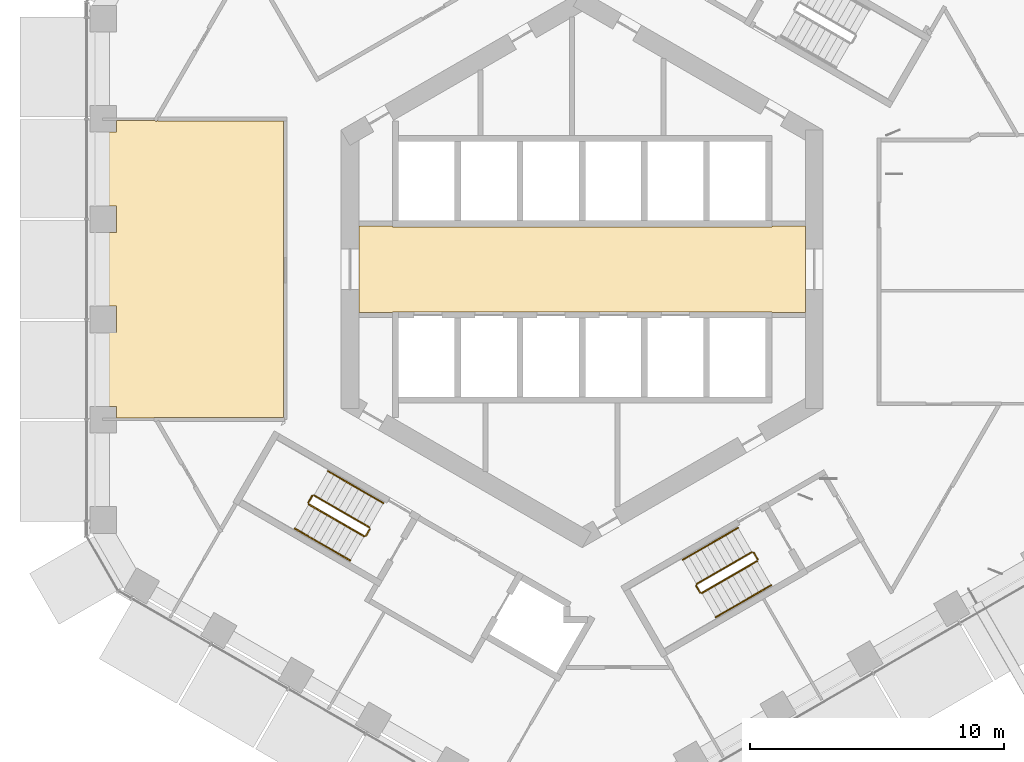
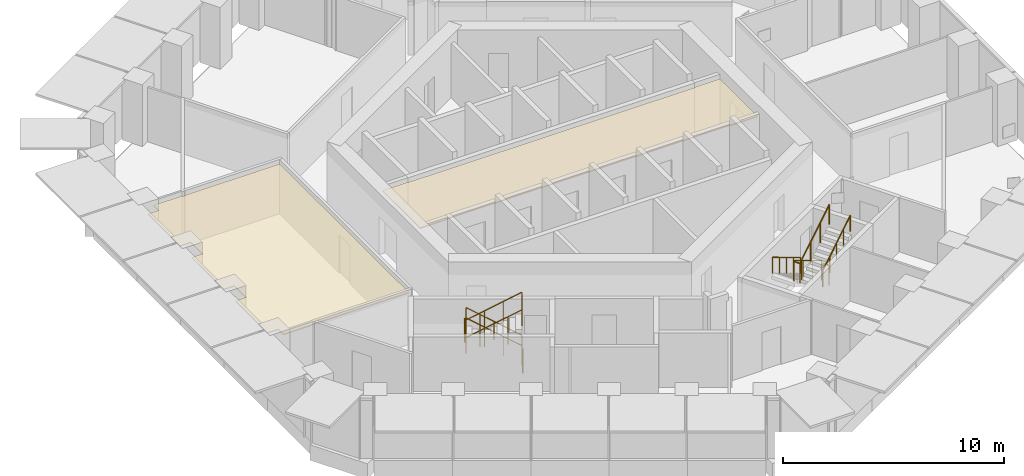
# One storey, part 20 of 21: 16 railings, 2 coverings.
"""IFC4 building model written with IfcOpenShell, lengths in metres."""

from ifc_helpers import new_model, si_unit, direction, frame, origin, origin_2d, place, context, subcontext, project, spatial, polyline, circle, outline, extrude, material, layer, layer_set, type_object, element, save


model = new_model("IFC4")

# Units and contexts
model_context = context("Model", 3, precision=1e-05, world=origin(), true_north=direction((0.0, 1.0)))
body_context = subcontext(model_context, "Body", "Model", "MODEL_VIEW")
ifc_project = project(units=[si_unit("LENGTHUNIT", "METRE"), si_unit("AREAUNIT", "SQUARE_METRE"), si_unit("VOLUMEUNIT", "CUBIC_METRE"), si_unit("PLANEANGLEUNIT", "RADIAN"), si_unit("MASSUNIT", "GRAM", prefix="KILO")], contexts=[model_context])

# Site, building, storey
site_placement = place(None, origin())
site = spatial("IfcSite", under=ifc_project, at=site_placement, CompositionType="ELEMENT")
building_placement = place(site_placement, origin())
building = spatial("IfcBuilding", under=site, at=building_placement, Name="Ayvan Gate Tower", CompositionType="ELEMENT")
storey_placement = place(building_placement, frame((0.0, 0.0, 117.10009765625)))
storey = spatial("IfcBuildingStorey", under=building, at=storey_placement, Name="L31", CompositionType="ELEMENT", Elevation=117.10009765625)

# Coverings
ifc_material_1 = material(Name="Plasterboard suspended ceiling")
ifc_layer = layer(ifc_material_1, 0.050048828125)
ifc_layer_set = layer_set([ifc_layer], Name="Plasterboard suspended ceiling")
covering_type = type_object("IfcCoveringType", Name="CT-SUSP-50", PredefinedType="CEILING", material=ifc_layer_set)
covering_1_placement = place(storey_placement, frame((0.0, 0.0, 2.699951171875)))
element("IfcCovering", 1, at=covering_1_placement, inside=storey, type_object=covering_type, Name="Ceiling Lift Lobby L31", PredefinedType="CEILING", context=body_context, shape_type="SweptSolid", body=[
    extrude(outline(polyline([(7.47509765625, -1.675048828125), (-7.47509765625, -1.675048828125), (-7.47509765625, -1.699951171875), (-8.800048828125, -1.699951171875), (-8.800048828125, 1.699951171875), (-7.47509765625, 1.699951171875), (-7.47509765625, 1.675048828125), (7.47509765625, 1.675048828125), (7.47509765625, 1.699951171875), (8.800048828125, 1.699951171875), (8.800048828125, -1.699951171875), (7.47509765625, -1.699951171875), (7.47509765625, -1.675048828125)])), origin(), (0.0, 0.0, 1.0), 0.050048828125),
])
covering_2_placement = place(storey_placement, frame((0.0, 0.0, 2.699951171875)))
element("IfcCovering", 2, at=covering_2_placement, inside=storey, type_object=covering_type, Name="Ceiling Study Lounge L31", PredefinedType="CEILING", context=body_context, shape_type="SweptSolid", body=[
    extrude(outline(polyline([(-18.33740234375, 1.450439453125), (-18.33740234375, 2.50048828125), (-18.89208984375, 2.50048828125), (-18.89208984375, 5.401611328125), (-18.33740234375, 5.401611328125), (-18.33740234375, 5.866455078125), (-16.84716796875, 5.866455078125), (-16.756103515625, 5.81396484375), (-16.708740234375, 5.896240234375), (-16.708740234375, 5.84130859375), (-11.77490234375, 5.84130859375), (-11.77490234375, -5.84130859375), (-16.858642578125, -5.84130859375), (-16.858642578125, -5.866455078125), (-18.33740234375, -5.866455078125), (-18.33740234375, -5.401611328125), (-18.89208984375, -5.401611328125), (-18.89208984375, -2.50048828125), (-18.33740234375, -2.50048828125), (-18.33740234375, -1.450439453125), (-18.89208984375, -1.450439453125), (-18.89208984375, 1.450439453125), (-18.33740234375, 1.450439453125)])), origin(), (0.0, 0.0, 1.0), 0.050048828125),
])

# Railings
ifc_material_2 = material(Name="Stainless steel balustrade", Category="steel")
railing_type_1 = type_object("IfcRailingType", Name="RL-GUARD-1100", PredefinedType="GUARDRAIL", material=ifc_material_2)
railing_1_placement = place(storey_placement, frame((-8.381103515625, -10.16650390625, 0.169921875)))
element("IfcRailing", 3, at=railing_1_placement, inside=storey, type_object=railing_type_1, Name="L31 STS2 stair guard 1", PredefinedType="GUARDRAIL", context=body_context, shape_type="SweptSolid", body=[
    extrude(circle(Radius=0.02392578125, at=origin_2d()), frame((0.0, 0.0, 1.076171875), z_axis=(-0.740261155115, 0.427395438142, 0.518986090067), x_axis=(-0.500004791531, -0.866022637375, 0.0)), (0.0, 0.0, 1.0), 2.947998046875),
    extrude(circle(Radius=0.02099609375, at=origin_2d()), origin(), (0.0, 0.0, 1.0), 1.052001953125),
    extrude(circle(Radius=0.02099609375, at=origin_2d()), frame((-0.7275390625, 0.419921875, 0.510009765625)), (0.0, 0.0, 1.0), 1.052001953125),
    extrude(circle(Radius=0.02099609375, at=origin_2d()), frame((-1.454833984375, 0.840087890625, 1.02001953125)), (0.0, 0.0, 1.0), 1.052001953125),
    extrude(circle(Radius=0.02099609375, at=origin_2d()), frame((-2.182373046875, 1.260009765625, 1.530029296875)), (0.0, 0.0, 1.0), 1.052001953125),
])
railing_2_placement = place(storey_placement, frame((-10.6318359375, -8.9248046875, 1.699951171875)))
element("IfcRailing", 4, at=railing_2_placement, inside=storey, type_object=railing_type_1, Name="L31 STS2 stair guard 2", PredefinedType="GUARDRAIL", context=body_context, shape_type="SweptSolid", body=[
    extrude(circle(Radius=0.02392578125, at=origin_2d()), frame((0.0, 0.0, 1.076171875), z_axis=(-0.499949632511, -0.866054481515, 0.0), x_axis=(0.866054481515, -0.499949632511, 0.0)), (0.0, 0.0, 1.0), 0.31005859375),
    extrude(circle(Radius=0.02099609375, at=origin_2d()), origin(), (0.0, 0.0, 1.0), 1.052001953125),
    extrude(circle(Radius=0.02099609375, at=origin_2d()), frame((-0.155029296875, -0.2685546875, 0.0)), (0.0, 0.0, 1.0), 1.052001953125),
])
railing_3_placement = place(storey_placement, frame((-10.7685546875, -9.261474609375, 1.869873046875)))
element("IfcRailing", 5, at=railing_3_placement, inside=storey, type_object=railing_type_1, Name="L31 STS2 stair guard 3", PredefinedType="GUARDRAIL", context=body_context, shape_type="SweptSolid", body=[
    extrude(circle(Radius=0.02392578125, at=origin_2d()), frame((0.0, 0.0, 1.076171875), z_axis=(0.740261155115, -0.427395438142, 0.518986090067), x_axis=(0.500004791531, 0.866022637375, 0.0)), (0.0, 0.0, 1.0), 2.947998046875),
    extrude(circle(Radius=0.02099609375, at=origin_2d()), origin(), (0.0, 0.0, 1.0), 1.052001953125),
    extrude(circle(Radius=0.02099609375, at=origin_2d()), frame((0.7275390625, -0.419921875, 0.510009765625)), (0.0, 0.0, 1.0), 1.052001953125),
    extrude(circle(Radius=0.02099609375, at=origin_2d()), frame((1.454833984375, -0.840087890625, 1.02001953125)), (0.0, 0.0, 1.0), 1.052001953125),
    extrude(circle(Radius=0.02099609375, at=origin_2d()), frame((2.182373046875, -1.260009765625, 1.530029296875)), (0.0, 0.0, 1.0), 1.052001953125),
])
railing_4_placement = place(storey_placement, frame((-8.36279296875, -10.23486328125, 0.0)))
element("IfcRailing", 6, at=railing_4_placement, inside=storey, type_object=railing_type_1, Name="L31 STS2 stair guard 4", PredefinedType="GUARDRAIL", context=body_context, shape_type="SweptSolid", body=[
    extrude(circle(Radius=0.02392578125, at=origin_2d()), frame((0.0, 0.0, 1.076171875), z_axis=(-0.500290723946, -0.86585748916, 0.0), x_axis=(0.86585748916, -0.500290723946, 0.0)), (0.0, 0.0, 1.0), 0.309814453125),
    extrude(circle(Radius=0.02099609375, at=origin_2d()), origin(), (0.0, 0.0, 1.0), 1.052001953125),
    extrude(circle(Radius=0.02099609375, at=origin_2d()), frame((-0.155029296875, -0.268310546875, 0.0)), (0.0, 0.0, 1.0), 1.052001953125),
])
railing_5_placement = place(storey_placement, frame((6.6923828125, -11.1416015625, 0.169921875)))
element("IfcRailing", 7, at=railing_5_placement, inside=storey, type_object=railing_type_1, Name="L31 STS3 stair guard 1", PredefinedType="GUARDRAIL", context=body_context, shape_type="SweptSolid", body=[
    extrude(circle(Radius=0.02392578125, at=origin_2d()), frame((0.0, 0.0, 1.076171875), z_axis=(-0.740261155115, -0.427395438142, 0.518986090067), x_axis=(0.500004791531, -0.866022637375, 0.0)), (0.0, 0.0, 1.0), 2.947998046875),
    extrude(circle(Radius=0.02099609375, at=origin_2d()), origin(), (0.0, 0.0, 1.0), 1.052001953125),
    extrude(circle(Radius=0.02099609375, at=origin_2d()), frame((-0.7275390625, -0.419921875, 0.510009765625)), (0.0, 0.0, 1.0), 1.052001953125),
    extrude(circle(Radius=0.02099609375, at=origin_2d()), frame((-1.454833984375, -0.840087890625, 1.02001953125)), (0.0, 0.0, 1.0), 1.052001953125),
    extrude(circle(Radius=0.02099609375, at=origin_2d()), frame((-2.182373046875, -1.260009765625, 1.530029296875)), (0.0, 0.0, 1.0), 1.052001953125),
])
railing_6_placement = place(storey_placement, frame((4.49169921875, -12.4697265625, 1.699951171875)))
element("IfcRailing", 8, at=railing_6_placement, inside=storey, type_object=railing_type_1, Name="L31 STS3 stair guard 2", PredefinedType="GUARDRAIL", context=body_context, shape_type="SweptSolid", body=[
    extrude(circle(Radius=0.02392578125, at=origin_2d()), frame((0.0, 0.0, 1.076171875), z_axis=(0.499949632511, -0.866054481515, 0.0), x_axis=(0.866054481515, 0.499949632511, 0.0)), (0.0, 0.0, 1.0), 0.31005859375),
    extrude(circle(Radius=0.02099609375, at=origin_2d()), origin(), (0.0, 0.0, 1.0), 1.052001953125),
    extrude(circle(Radius=0.02099609375, at=origin_2d()), frame((0.155029296875, -0.2685546875, 0.0)), (0.0, 0.0, 1.0), 1.052001953125),
])
railing_7_placement = place(storey_placement, frame((4.715087890625, -12.756591796875, 1.869873046875)))
element("IfcRailing", 9, at=railing_7_placement, inside=storey, type_object=railing_type_1, Name="L31 STS3 stair guard 3", PredefinedType="GUARDRAIL", context=body_context, shape_type="SweptSolid", body=[
    extrude(circle(Radius=0.02392578125, at=origin_2d()), frame((0.0, 0.0, 1.076171875), z_axis=(0.740261155115, 0.427395438142, 0.518986090067), x_axis=(-0.500004791531, 0.866022637375, 0.0)), (0.0, 0.0, 1.0), 2.947998046875),
    extrude(circle(Radius=0.02099609375, at=origin_2d()), origin(), (0.0, 0.0, 1.0), 1.052001953125),
    extrude(circle(Radius=0.02099609375, at=origin_2d()), frame((0.7275390625, 0.419921875, 0.510009765625)), (0.0, 0.0, 1.0), 1.052001953125),
    extrude(circle(Radius=0.02099609375, at=origin_2d()), frame((1.454833984375, 0.840087890625, 1.02001953125)), (0.0, 0.0, 1.0), 1.052001953125),
    extrude(circle(Radius=0.02099609375, at=origin_2d()), frame((2.182373046875, 1.260009765625, 1.530029296875)), (0.0, 0.0, 1.0), 1.052001953125),
])
railing_8_placement = place(storey_placement, frame((6.7607421875, -11.159912109375, 0.0)))
element("IfcRailing", 10, at=railing_8_placement, inside=storey, type_object=railing_type_1, Name="L31 STS3 stair guard 4", PredefinedType="GUARDRAIL", context=body_context, shape_type="SweptSolid", body=[
    extrude(circle(Radius=0.02392578125, at=origin_2d()), frame((0.0, 0.0, 1.076171875), z_axis=(0.500290723946, -0.86585748916, 0.0), x_axis=(0.86585748916, 0.500290723946, 0.0)), (0.0, 0.0, 1.0), 0.309814453125),
    extrude(circle(Radius=0.02099609375, at=origin_2d()), origin(), (0.0, 0.0, 1.0), 1.052001953125),
    extrude(circle(Radius=0.02099609375, at=origin_2d()), frame((0.155029296875, -0.268310546875, 0.0)), (0.0, 0.0, 1.0), 1.052001953125),
])
railing_type_2 = type_object("IfcRailingType", Name="RL-HANDRAIL-900", PredefinedType="HANDRAIL", material=ifc_material_2)
railing_9_placement = place(storey_placement, frame((-7.8310546875, -9.2138671875, 0.169921875)))
element("IfcRailing", 11, at=railing_9_placement, inside=storey, type_object=railing_type_2, Name="L31 STS2 stair handrail 1", PredefinedType="HANDRAIL", context=body_context, shape_type="SweptSolid", body=[
    extrude(circle(Radius=0.02392578125, at=origin_2d()), frame((0.0, 0.0, 0.8759765625), z_axis=(-0.740356597536, 0.427319915356, 0.518912129772), x_axis=(-0.499890179513, -0.866088799389, 0.0)), (0.0, 0.0, 1.0), 1.47412109375),
    extrude(circle(Radius=0.02099609375, at=origin_2d()), origin(), (0.0, 0.0, 1.0), 0.851806640625),
    extrude(circle(Radius=0.02099609375, at=origin_2d()), frame((-0.545654296875, 0.31494140625, 0.38232421875)), (0.0, 0.0, 1.0), 0.851806640625),
    extrude(circle(Radius=0.02099609375, at=origin_2d()), frame((-1.09130859375, 0.6298828125, 0.764892578125)), (0.0, 0.0, 1.0), 0.851806640625),
])
railing_10_placement = place(storey_placement, frame((-8.92236328125, -8.583984375, 0.934814453125)))
element("IfcRailing", 12, at=railing_10_placement, inside=storey, type_object=railing_type_2, Name="L31 STS2 stair handrail 2", PredefinedType="HANDRAIL", context=body_context, shape_type="SweptSolid", body=[
    extrude(circle(Radius=0.02392578125, at=origin_2d()), frame((0.0, 0.0, 0.8759765625), z_axis=(-0.740165700939, 0.427470949681, 0.519060037311), x_axis=(-0.50011940292, -0.865956455501, 0.0)), (0.0, 0.0, 1.0), 1.47412109375),
    extrude(circle(Radius=0.02099609375, at=origin_2d()), origin(), (0.0, 0.0, 1.0), 0.851806640625),
    extrude(circle(Radius=0.02099609375, at=origin_2d()), frame((-0.54541015625, 0.31494140625, 0.382568359375)), (0.0, 0.0, 1.0), 0.851806640625),
    extrude(circle(Radius=0.02099609375, at=origin_2d()), frame((-1.091064453125, 0.630126953125, 0.76513671875)), (0.0, 0.0, 1.0), 0.851806640625),
])
railing_11_placement = place(storey_placement, frame((-11.318603515625, -10.214111328125, 1.869873046875)))
element("IfcRailing", 13, at=railing_11_placement, inside=storey, type_object=railing_type_2, Name="L31 STS2 stair handrail 3", PredefinedType="HANDRAIL", context=body_context, shape_type="SweptSolid", body=[
    extrude(circle(Radius=0.02392578125, at=origin_2d()), frame((0.0, 0.0, 0.8759765625), z_axis=(0.740240574041, -0.427418550694, 0.518996411419), x_axis=(0.500035496587, 0.86600490885, 0.0)), (0.0, 0.0, 1.0), 1.474365234375),
    extrude(circle(Radius=0.02099609375, at=origin_2d()), origin(), (0.0, 0.0, 1.0), 0.851806640625),
    extrude(circle(Radius=0.02099609375, at=origin_2d()), frame((0.545654296875, -0.31494140625, 0.382568359375)), (0.0, 0.0, 1.0), 0.851806640625),
    extrude(circle(Radius=0.02099609375, at=origin_2d()), frame((1.09130859375, -0.630126953125, 0.76513671875)), (0.0, 0.0, 1.0), 0.851806640625),
])
railing_12_placement = place(storey_placement, frame((-10.227294921875, -10.84423828125, 2.635009765625)))
element("IfcRailing", 14, at=railing_12_placement, inside=storey, type_object=railing_type_2, Name="L31 STS2 stair handrail 4", PredefinedType="HANDRAIL", context=body_context, shape_type="SweptSolid", body=[
    extrude(circle(Radius=0.02392578125, at=origin_2d()), frame((0.0, 0.0, 0.8759765625), z_axis=(0.740356597536, -0.427319915356, 0.518912129772), x_axis=(0.499890179513, 0.866088799389, 0.0)), (0.0, 0.0, 1.0), 1.47412109375),
    extrude(circle(Radius=0.02099609375, at=origin_2d()), origin(), (0.0, 0.0, 1.0), 0.851806640625),
    extrude(circle(Radius=0.02099609375, at=origin_2d()), frame((0.545654296875, -0.31494140625, 0.38232421875)), (0.0, 0.0, 1.0), 0.851806640625),
    extrude(circle(Radius=0.02099609375, at=origin_2d()), frame((1.09130859375, -0.6298828125, 0.764892578125)), (0.0, 0.0, 1.0), 0.851806640625),
])
railing_13_placement = place(storey_placement, frame((6.142333984375, -10.18896484375, 0.169921875)))
element("IfcRailing", 15, at=railing_13_placement, inside=storey, type_object=railing_type_2, Name="L31 STS3 stair handrail 1", PredefinedType="HANDRAIL", context=body_context, shape_type="SweptSolid", body=[
    extrude(circle(Radius=0.02392578125, at=origin_2d()), frame((0.0, 0.0, 0.8759765625), z_axis=(-0.740281741151, -0.427372318678, 0.518975765278), x_axis=(0.499974077718, -0.866040369504, 0.0)), (0.0, 0.0, 1.0), 1.473876953125),
    extrude(circle(Radius=0.02099609375, at=origin_2d()), origin(), (0.0, 0.0, 1.0), 0.851806640625),
    extrude(circle(Radius=0.02099609375, at=origin_2d()), frame((-0.54541015625, -0.31494140625, 0.38232421875)), (0.0, 0.0, 1.0), 0.851806640625),
    extrude(circle(Radius=0.02099609375, at=origin_2d()), frame((-1.091064453125, -0.6298828125, 0.764892578125)), (0.0, 0.0, 1.0), 0.851806640625),
])
railing_14_placement = place(storey_placement, frame((5.05126953125, -10.81884765625, 0.934814453125)))
element("IfcRailing", 16, at=railing_14_placement, inside=storey, type_object=railing_type_2, Name="L31 STS3 stair handrail 2", PredefinedType="HANDRAIL", context=body_context, shape_type="SweptSolid", body=[
    extrude(circle(Radius=0.02392578125, at=origin_2d()), frame((0.0, 0.0, 0.8759765625), z_axis=(-0.740240574041, -0.427418550694, 0.518996411419), x_axis=(0.500035496587, -0.86600490885, 0.0)), (0.0, 0.0, 1.0), 1.474365234375),
    extrude(circle(Radius=0.02099609375, at=origin_2d()), origin(), (0.0, 0.0, 1.0), 0.851806640625),
    extrude(circle(Radius=0.02099609375, at=origin_2d()), frame((-0.545654296875, -0.31494140625, 0.382568359375)), (0.0, 0.0, 1.0), 0.851806640625),
    extrude(circle(Radius=0.02099609375, at=origin_2d()), frame((-1.09130859375, -0.630126953125, 0.76513671875)), (0.0, 0.0, 1.0), 0.851806640625),
])
railing_15_placement = place(storey_placement, frame((5.264892578125, -13.709228515625, 1.869873046875)))
element("IfcRailing", 17, at=railing_15_placement, inside=storey, type_object=railing_type_2, Name="L31 STS3 stair handrail 3", PredefinedType="HANDRAIL", context=body_context, shape_type="SweptSolid", body=[
    extrude(circle(Radius=0.02392578125, at=origin_2d()), frame((0.0, 0.0, 0.8759765625), z_axis=(0.740240574041, 0.427418550694, 0.518996411419), x_axis=(-0.500035496587, 0.86600490885, 0.0)), (0.0, 0.0, 1.0), 1.474365234375),
    extrude(circle(Radius=0.02099609375, at=origin_2d()), origin(), (0.0, 0.0, 1.0), 0.851806640625),
    extrude(circle(Radius=0.02099609375, at=origin_2d()), frame((0.545654296875, 0.31494140625, 0.382568359375)), (0.0, 0.0, 1.0), 0.851806640625),
    extrude(circle(Radius=0.02099609375, at=origin_2d()), frame((1.09130859375, 0.630126953125, 0.76513671875)), (0.0, 0.0, 1.0), 0.851806640625),
])
railing_16_placement = place(storey_placement, frame((6.356201171875, -13.0791015625, 2.635009765625)))
element("IfcRailing", 18, at=railing_16_placement, inside=storey, type_object=railing_type_2, Name="L31 STS3 stair handrail 4", PredefinedType="HANDRAIL", context=body_context, shape_type="SweptSolid", body=[
    extrude(circle(Radius=0.02392578125, at=origin_2d()), frame((0.0, 0.0, 0.8759765625), z_axis=(0.740281741151, 0.427372318678, 0.518975765278), x_axis=(-0.499974077718, 0.866040369504, 0.0)), (0.0, 0.0, 1.0), 1.473876953125),
    extrude(circle(Radius=0.02099609375, at=origin_2d()), origin(), (0.0, 0.0, 1.0), 0.851806640625),
    extrude(circle(Radius=0.02099609375, at=origin_2d()), frame((0.54541015625, 0.31494140625, 0.38232421875)), (0.0, 0.0, 1.0), 0.851806640625),
    extrude(circle(Radius=0.02099609375, at=origin_2d()), frame((1.091064453125, 0.6298828125, 0.764892578125)), (0.0, 0.0, 1.0), 0.851806640625),
])

save(model, "model.ifc")
